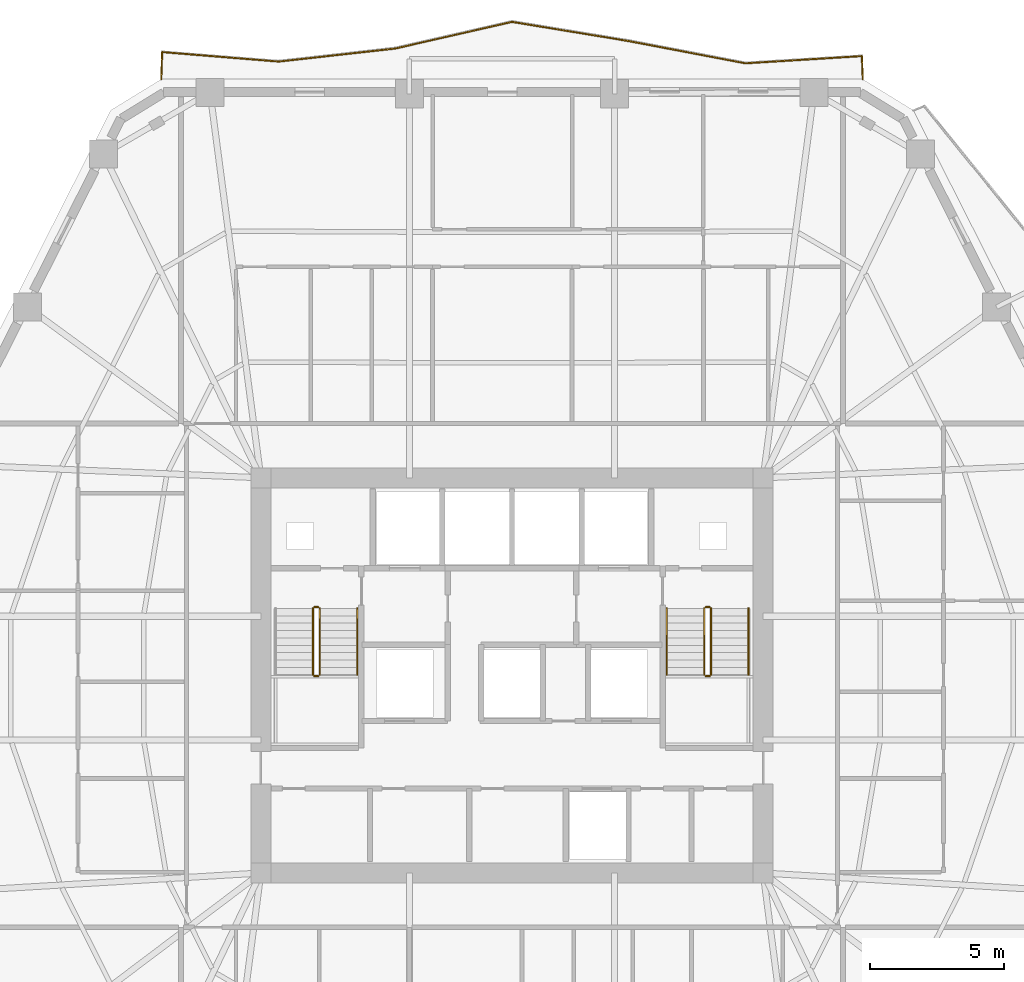
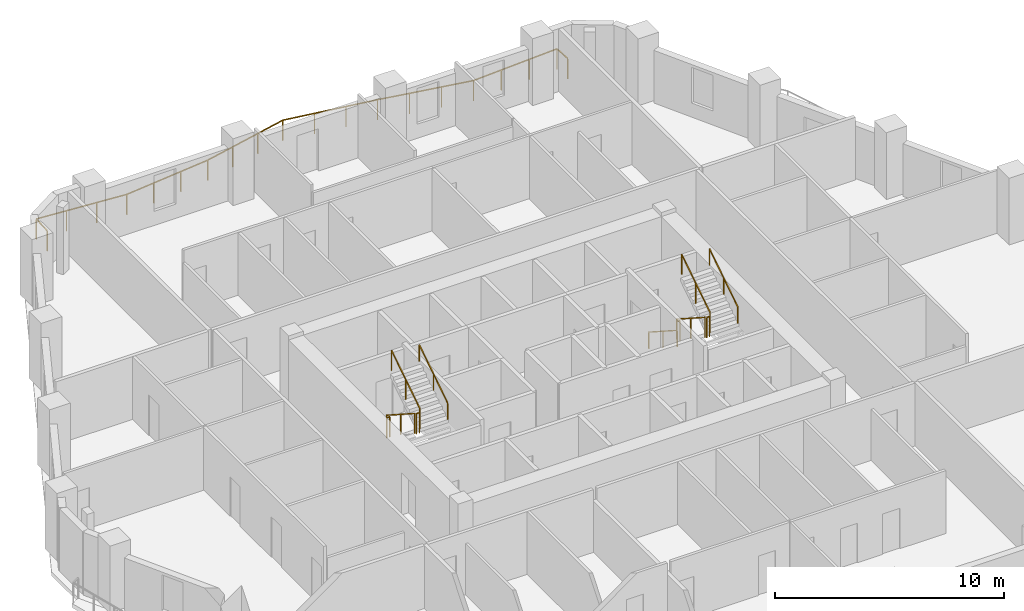
# One storey, part 10 of 11: 12 railings.
"""IFC4 building model written with IfcOpenShell, lengths in metres."""

import ifcopenshell
import ifcopenshell.guid

model = None  # the IFC model being written
_history = None  # IfcOwnerHistory: only IFC2X3 demands one
_inside = {}  # id of a spatial element -> (the spatial element, [elements in it])
_under = {}  # id of a project, library or spatial element -> (it, [spatial elements below it])
_declared = {}  # id of a project -> (the project, [libraries it declares])
_typed = {}  # id of a type object -> (the type object, [elements of that type])
_made_of = {}  # id of a material, layer set ... -> (it, [elements and type objects made of it])


def new_model(schema):
    """Start an empty IFC model of exactly this schema.

    Asked for "IFC4X3", IfcOpenShell would pick the latest addendum, in which some entities
    have other attributes; the version numbers below select the first issue.
    IFC2X3 requires an IfcOwnerHistory on every rooted entity: one is made here for all.
    """
    global model, _history
    if schema == "IFC4X3":
        model = ifcopenshell.file(schema_version=(4, 3, 0, 0))
    else:
        model = ifcopenshell.file(schema=schema)
    _inside.clear()
    _under.clear()
    _declared.clear()
    _typed.clear()
    _made_of.clear()
    _history = None
    if model.schema == "IFC2X3":
        org = make("IfcOrganization", Name="unknown")
        user = make(
            "IfcPersonAndOrganization",
            ThePerson=make("IfcPerson", FamilyName="unknown"),
            TheOrganization=org,
        )
        app = make(
            "IfcApplication",
            ApplicationDeveloper=org,
            Version="unknown",
            ApplicationFullName="unknown",
            ApplicationIdentifier="unknown",
        )
        _history = make(
            "IfcOwnerHistory",
            OwningUser=user,
            OwningApplication=app,
            ChangeAction="ADDED",
            CreationDate=0,
        )
    return model


def make(cls, **values):
    """One entity of the class cls with the attributes given. An attribute that is None is left unset."""
    return model.create_entity(
        cls, **{name: value for name, value in values.items() if value is not None}
    )


def rooted(cls, **values):
    """An entity with a GlobalId (a new one), such as an element, a storey or a relation."""
    return make(cls, GlobalId=ifcopenshell.guid.new(), OwnerHistory=_history, **values)


def si_unit(unit_type, name, prefix=None):
    """IfcSIUnit, for example si_unit("LENGTHUNIT", "METRE", prefix="MILLI")."""
    return make("IfcSIUnit", UnitType=unit_type, Prefix=prefix, Name=name)


def assignment(units):
    """IfcUnitAssignment: the units of a project."""
    return None if units is None else make("IfcUnitAssignment", Units=units)


def point(xyz):
    """IfcCartesianPoint."""
    return None if xyz is None else make("IfcCartesianPoint", Coordinates=xyz)


def direction(xyz):
    """IfcDirection."""
    return None if xyz is None else make("IfcDirection", DirectionRatios=xyz)


def frame(location, z_axis=None, x_axis=None):
    """IfcAxis2Placement3D, a coordinate frame: its origin and axes. An axis left out is left unset."""
    return make(
        "IfcAxis2Placement3D",
        Location=point(location),
        Axis=direction(z_axis),
        RefDirection=direction(x_axis),
    )


def frame_2d(location, x_axis=None):
    """IfcAxis2Placement2D, a coordinate frame in the plane: its origin and x axis."""
    return make(
        "IfcAxis2Placement2D", Location=point(location), RefDirection=direction(x_axis)
    )


def origin():
    """The frame at (0, 0, 0) with its axes left unset."""
    return frame((0.0, 0.0, 0.0))


def origin_2d():
    """The frame at (0, 0) in the plane with its x axis left unset."""
    return frame_2d((0.0, 0.0))


def place(relative_to, where):
    """IfcLocalPlacement: puts the frame where relative to a parent placement (None: the world)."""
    return make(
        "IfcLocalPlacement", PlacementRelTo=relative_to, RelativePlacement=where
    )


def context(
    kind, dimensions, precision=None, world=None, true_north=None, identifier=None
):
    """IfcGeometricRepresentationContext, for example the 3D "Model" context."""
    return make(
        "IfcGeometricRepresentationContext",
        ContextIdentifier=identifier,
        ContextType=kind,
        CoordinateSpaceDimension=dimensions,
        Precision=precision,
        WorldCoordinateSystem=world,
        TrueNorth=true_north,
    )


def subcontext(parent, identifier, kind, view, scale=None):
    """IfcGeometricRepresentationSubContext, for example "Body" below "Model"."""
    return make(
        "IfcGeometricRepresentationSubContext",
        ContextIdentifier=identifier,
        ContextType=kind,
        ParentContext=parent,
        TargetScale=scale,
        TargetView=view,
    )


def project(units=None, contexts=None):
    """IfcProject with its units and contexts."""
    return rooted(
        "IfcProject",
        Name="project",
        RepresentationContexts=contexts,
        UnitsInContext=assignment(units),
    )


def spatial(cls, under=None, at=None, **own):
    """A site, building, storey or space (cls), placed at a placement, below another one or the project."""
    s = rooted(cls, ObjectPlacement=at, **own)
    if under is not None:
        _under.setdefault(under.id(), (under, []))[1].append(s)
    return s


def profile(cls, at=None, kind="AREA", **sizes):
    """A parametric profile (cls). Its sizes go by their IFC names, for example OverallWidth=200.0."""
    return make(cls, ProfileType=kind, Position=at, **sizes)


def rectangle(**sizes):
    """IfcRectangleProfileDef."""
    return profile("IfcRectangleProfileDef", **sizes)


def extrude(swept, where, along, depth):
    """IfcExtrudedAreaSolid: the profile swept, set in the frame where, extruded along a direction by depth."""
    return make(
        "IfcExtrudedAreaSolid",
        SweptArea=swept,
        Position=where,
        ExtrudedDirection=direction(along),
        Depth=depth,
    )


def shape(context_of_items, identifier, shape_type, items):
    """IfcShapeRepresentation: the items that make up one representation, for example the "Body"."""
    return make(
        "IfcShapeRepresentation",
        ContextOfItems=context_of_items,
        RepresentationIdentifier=identifier,
        RepresentationType=shape_type,
        Items=items,
    )


def material(Name=None, Category=None):
    """IfcMaterial."""
    return make("IfcMaterial", Name=Name, Category=Category)


def made_of(thing, what):
    """Note that an element or type object is made of a material, layer set ...; save() writes the relation."""
    if what is not None:
        _made_of.setdefault(what.id(), (what, []))[1].append(thing)
    return thing


def type_object(cls, material=None, **own):
    """A type object (cls), such as IfcWallType, which elements share."""
    return made_of(rooted(cls, **own), material)


def element(
    cls,
    number,
    at=None,
    inside=None,
    cuts=None,
    type_object=None,
    material=None,
    context=None,
    identifier="Body",
    shape_type=None,
    held_by="IfcProductDefinitionShape",
    body=None,
    shapes=None,
    **own,
):
    """One element of the class cls, such as IfcWall. Its Tag is "e" and its number.

    at: its placement. inside: the storey or other place that contains it. cuts: it is an
    opening in that element (IfcRelVoidsElement). A single representation is given by context,
    identifier, shape_type and body (its items); several are given by shapes. held_by: the class
    of the entity that holds the representations. save() writes the other relations.
    """
    e = rooted(cls, Tag="e%d" % number, ObjectPlacement=at, **own)
    if body is not None:
        shapes = [shape(context, identifier, shape_type, body)]
    if shapes is not None:
        e.Representation = make(held_by, Representations=shapes)
    if inside is not None:
        _inside.setdefault(inside.id(), (inside, []))[1].append(e)
    if cuts is not None:
        rooted(
            "IfcRelVoidsElement", RelatingBuildingElement=cuts, RelatedOpeningElement=e
        )
    if type_object is not None:
        _typed.setdefault(type_object.id(), (type_object, []))[1].append(e)
    return made_of(e, material)


def aggregate(whole, parts):
    """IfcRelAggregates: a whole, such as a stair, and the parts it consists of."""
    return rooted("IfcRelAggregates", RelatingObject=whole, RelatedObjects=parts)


def save(model, path):
    """Write the relations noted so far, then the file.

    IfcRelAggregates (storeys below a building ...), IfcRelContainedInSpatialStructure (elements
    in a storey), IfcRelDefinesByType, IfcRelAssociatesMaterial and IfcRelDeclares: one each for
    every whole, place, type object, material and project.
    """
    for whole, parts in _under.values():
        aggregate(whole, parts)
    for where, things in _inside.values():
        rooted(
            "IfcRelContainedInSpatialStructure",
            RelatedElements=things,
            RelatingStructure=where,
        )
    for kind, things in _typed.values():
        rooted("IfcRelDefinesByType", RelatedObjects=things, RelatingType=kind)
    for what, things in _made_of.values():
        rooted("IfcRelAssociatesMaterial", RelatedObjects=things, RelatingMaterial=what)
    for by, libraries in _declared.values():
        rooted("IfcRelDeclares", RelatingContext=by, RelatedDefinitions=libraries)
    model.write(path)


model = new_model("IFC4")

# Units and contexts
model_context = context("Model", 3, precision=1e-05, world=origin(), true_north=direction((0.0, 1.0)))
body_context = subcontext(model_context, "Body", "Model", "MODEL_VIEW")
ifc_project = project(units=[si_unit("LENGTHUNIT", "METRE"), si_unit("AREAUNIT", "SQUARE_METRE"), si_unit("VOLUMEUNIT", "CUBIC_METRE"), si_unit("PLANEANGLEUNIT", "RADIAN"), si_unit("MASSUNIT", "GRAM", prefix="KILO")], contexts=[model_context])

# Site, building, storey
site_placement = place(None, origin())
site = spatial("IfcSite", under=ifc_project, at=site_placement, CompositionType="ELEMENT")
building_placement = place(site_placement, origin())
building = spatial("IfcBuilding", under=site, at=building_placement, Name="Cinnabar Lancet Tower", CompositionType="ELEMENT")
storey_placement = place(building_placement, frame((0.0, 0.0, 130.35009765625)))
storey = spatial("IfcBuildingStorey", under=building, at=storey_placement, Name="L34", CompositionType="ELEMENT", Elevation=130.35009765625)

# Railings
ifc_material_1 = material(Name="Laminated safety glass and bronze stainless steel balustrade", Category="steel")
railing_type_1 = type_object("IfcRailingType", Name="ENV-RLG-BAL-1100", PredefinedType="BALUSTRADE", material=ifc_material_1)
railing_1_placement = place(storey_placement, frame((45.491943359375, 48.14990234375, 0.0)))
element("IfcRailing", 1, at=railing_1_placement, inside=storey, type_object=railing_type_1, Name="L34 Face 4 Wave Balcony Balustrade", PredefinedType="BALUSTRADE", context=body_context, shape_type="SweptSolid", body=[
    extrude(rectangle(XDim=0.048095703125, YDim=0.048095703125, at=origin_2d()), frame((0.0, 0.0, 1.076171875), z_axis=(-0.0392463717, 0.999229564369, 0.0), x_axis=(-0.999229564369, -0.0392463717, 0.0)), (0.0, 0.0, 1.0), 0.86474609375),
    extrude(rectangle(XDim=0.048095703125, YDim=0.048095703125, at=origin_2d()), frame((-0.033935546875, 0.864013671875, 1.076171875), z_axis=(-0.99810061235, -0.061604931842, 0.0), x_axis=(0.061604931842, -0.99810061235, 0.0)), (0.0, 0.0, 1.0), 4.36328125),
    extrude(rectangle(XDim=0.048095703125, YDim=0.048095703125, at=origin_2d()), frame((-4.388916015625, 0.59521484375, 1.076171875), z_axis=(-0.982261798243, 0.18751469199, 0.0), x_axis=(-0.18751469199, -0.982261798243, 0.0)), (0.0, 0.0, 1.0), 4.4306640625),
    extrude(rectangle(XDim=0.048095703125, YDim=0.048095703125, at=origin_2d()), frame((-8.740966796875, 1.426025390625, 1.076171875), z_axis=(-0.986762523583, 0.162171890449, 0.0), x_axis=(-0.162171890449, -0.986762523583, 0.0)), (0.0, 0.0, 1.0), 4.409423828125),
    extrude(rectangle(XDim=0.048095703125, YDim=0.048095703125, at=origin_2d()), frame((-13.092041015625, 2.14111328125, 1.076171875), z_axis=(-0.974934165854, -0.222493533053, 0.0), x_axis=(0.222493533053, -0.974934165854, 0.0)), (0.0, 0.0, 1.0), 4.462646484375),
    extrude(rectangle(XDim=0.048095703125, YDim=0.048095703125, at=origin_2d()), frame((-17.44287109375, 1.148193359375, 1.076171875), z_axis=(-0.993771045235, -0.111441059095, 0.0), x_axis=(0.111441059095, -0.993771045235, 0.0)), (0.0, 0.0, 1.0), 4.37939453125),
    extrude(rectangle(XDim=0.048095703125, YDim=0.048095703125, at=origin_2d()), frame((-21.794921875, 0.66015625, 1.076171875), z_axis=(-0.996712483453, 0.081019906997, 0.0), x_axis=(-0.081019906997, -0.996712483453, 0.0)), (0.0, 0.0, 1.0), 4.369384765625),
    extrude(rectangle(XDim=0.048095703125, YDim=0.048095703125, at=origin_2d()), frame((-26.14990234375, 1.01416015625, 1.076171875), z_axis=(-0.033443006029, -0.999440626224, 0.0), x_axis=(0.999440626224, -0.033443006029, 0.0)), (0.0, 0.0, 1.0), 1.0146484375),
    extrude(rectangle(XDim=0.0419921875, YDim=0.0419921875, at=origin_2d()), origin(), (0.0, 0.0, 1.0), 1.052001953125),
    extrude(rectangle(XDim=0.0419921875, YDim=0.0419921875, at=origin_2d()), frame((-0.033935546875, 0.864013671875, 0.0)), (0.0, 0.0, 1.0), 1.052001953125),
    extrude(rectangle(XDim=0.0419921875, YDim=0.0419921875, at=origin_2d()), frame((-1.485595703125, 0.7744140625, 0.0)), (0.0, 0.0, 1.0), 1.052001953125),
    extrude(rectangle(XDim=0.0419921875, YDim=0.0419921875, at=origin_2d()), frame((-2.937255859375, 0.684814453125, 0.0)), (0.0, 0.0, 1.0), 1.052001953125),
    extrude(rectangle(XDim=0.0419921875, YDim=0.0419921875, at=origin_2d()), frame((-4.388916015625, 0.59521484375, 0.0)), (0.0, 0.0, 1.0), 1.052001953125),
    extrude(rectangle(XDim=0.0419921875, YDim=0.0419921875, at=origin_2d()), frame((-5.839599609375, 0.8720703125, 0.0)), (0.0, 0.0, 1.0), 1.052001953125),
    extrude(rectangle(XDim=0.0419921875, YDim=0.0419921875, at=origin_2d()), frame((-7.290283203125, 1.149169921875, 0.0)), (0.0, 0.0, 1.0), 1.052001953125),
    extrude(rectangle(XDim=0.0419921875, YDim=0.0419921875, at=origin_2d()), frame((-8.740966796875, 1.426025390625, 0.0)), (0.0, 0.0, 1.0), 1.052001953125),
    extrude(rectangle(XDim=0.0419921875, YDim=0.0419921875, at=origin_2d()), frame((-10.19140625, 1.664306640625, 0.0)), (0.0, 0.0, 1.0), 1.052001953125),
    extrude(rectangle(XDim=0.0419921875, YDim=0.0419921875, at=origin_2d()), frame((-11.6416015625, 1.90283203125, 0.0)), (0.0, 0.0, 1.0), 1.052001953125),
    extrude(rectangle(XDim=0.0419921875, YDim=0.0419921875, at=origin_2d()), frame((-13.092041015625, 2.14111328125, 0.0)), (0.0, 0.0, 1.0), 1.052001953125),
    extrude(rectangle(XDim=0.0419921875, YDim=0.0419921875, at=origin_2d()), frame((-14.542236328125, 1.81005859375, 0.0)), (0.0, 0.0, 1.0), 1.052001953125),
    extrude(rectangle(XDim=0.0419921875, YDim=0.0419921875, at=origin_2d()), frame((-15.99267578125, 1.479248046875, 0.0)), (0.0, 0.0, 1.0), 1.052001953125),
    extrude(rectangle(XDim=0.0419921875, YDim=0.0419921875, at=origin_2d()), frame((-17.44287109375, 1.148193359375, 0.0)), (0.0, 0.0, 1.0), 1.052001953125),
    extrude(rectangle(XDim=0.0419921875, YDim=0.0419921875, at=origin_2d()), frame((-18.8935546875, 0.985595703125, 0.0)), (0.0, 0.0, 1.0), 1.052001953125),
    extrude(rectangle(XDim=0.0419921875, YDim=0.0419921875, at=origin_2d()), frame((-20.34423828125, 0.82275390625, 0.0)), (0.0, 0.0, 1.0), 1.052001953125),
    extrude(rectangle(XDim=0.0419921875, YDim=0.0419921875, at=origin_2d()), frame((-21.794921875, 0.66015625, 0.0)), (0.0, 0.0, 1.0), 1.052001953125),
    extrude(rectangle(XDim=0.0419921875, YDim=0.0419921875, at=origin_2d()), frame((-23.24658203125, 0.778076171875, 0.0)), (0.0, 0.0, 1.0), 1.052001953125),
    extrude(rectangle(XDim=0.0419921875, YDim=0.0419921875, at=origin_2d()), frame((-24.6982421875, 0.896240234375, 0.0)), (0.0, 0.0, 1.0), 1.052001953125),
    extrude(rectangle(XDim=0.0419921875, YDim=0.0419921875, at=origin_2d()), frame((-26.14990234375, 1.01416015625, 0.0)), (0.0, 0.0, 1.0), 1.052001953125),
    extrude(rectangle(XDim=0.0419921875, YDim=0.0419921875, at=origin_2d()), frame((-26.183837890625, 0.0, 0.0)), (0.0, 0.0, 1.0), 1.052001953125),
])
ifc_material_2 = material(Name="Painted galvanized steel balustrade", Category="steel")
railing_type_2 = type_object("IfcRailingType", Name="GUARD-STAIR", PredefinedType="GUARDRAIL", material=ifc_material_2)
railing_2_placement = place(storey_placement, frame((24.97509765625, 28.39990234375, 0.177490234375)))
element("IfcRailing", 2, at=railing_2_placement, inside=storey, type_object=railing_type_2, Name="L34 ST-1 stair guard 1", PredefinedType="GUARDRAIL", context=body_context, shape_type="SweptSolid", body=[
    extrude(rectangle(XDim=0.048095703125, YDim=0.048095703125, at=origin_2d()), frame((0.0, 0.0, 1.076171875), z_axis=(0.0, -0.840183358697, 0.542302428327), x_axis=(1.0, 0.0, 0.0)), (0.0, 0.0, 1.0), 2.945556640625),
    extrude(rectangle(XDim=0.0419921875, YDim=0.0419921875, at=origin_2d()), origin(), (0.0, 0.0, 1.0), 1.052001953125),
    extrude(rectangle(XDim=0.0419921875, YDim=0.0419921875, at=origin_2d()), frame((0.0, -1.2373046875, 0.798828125)), (0.0, 0.0, 1.0), 1.052001953125),
    extrude(rectangle(XDim=0.0419921875, YDim=0.0419921875, at=origin_2d()), frame((0.0, -2.474853515625, 1.597412109375)), (0.0, 0.0, 1.0), 1.052001953125),
])
railing_3_placement = place(storey_placement, frame((25.02490234375, 25.875, 1.77490234375)))
element("IfcRailing", 3, at=railing_3_placement, inside=storey, type_object=railing_type_2, Name="L34 ST-1 stair guard 2", PredefinedType="GUARDRAIL", context=body_context, shape_type="SweptSolid", body=[
    extrude(rectangle(XDim=0.048095703125, YDim=0.048095703125, at=origin_2d()), frame((0.0, 0.0, 1.076171875), z_axis=(1.0, 0.0, 0.0), x_axis=(0.0, 1.0, 0.0)), (0.0, 0.0, 1.0), 0.150146484375),
    extrude(rectangle(XDim=0.0419921875, YDim=0.0419921875, at=origin_2d()), origin(), (0.0, 0.0, 1.0), 1.052001953125),
    extrude(rectangle(XDim=0.0419921875, YDim=0.0419921875, at=origin_2d()), frame((0.150146484375, 0.0, 0.0)), (0.0, 0.0, 1.0), 1.052001953125),
])
railing_4_placement = place(storey_placement, frame((25.22509765625, 25.925048828125, 1.952392578125)))
element("IfcRailing", 4, at=railing_4_placement, inside=storey, type_object=railing_type_2, Name="L34 ST-1 stair guard 3", PredefinedType="GUARDRAIL", context=body_context, shape_type="SweptSolid", body=[
    extrude(rectangle(XDim=0.048095703125, YDim=0.048095703125, at=origin_2d()), frame((0.0, 0.0, 1.076171875), z_axis=(0.0, 0.840183358697, 0.542302428327), x_axis=(-1.0, 0.0, 0.0)), (0.0, 0.0, 1.0), 2.945556640625),
    extrude(rectangle(XDim=0.0419921875, YDim=0.0419921875, at=origin_2d()), origin(), (0.0, 0.0, 1.0), 1.052001953125),
    extrude(rectangle(XDim=0.0419921875, YDim=0.0419921875, at=origin_2d()), frame((0.0, 1.2373046875, 0.798828125)), (0.0, 0.0, 1.0), 1.052001953125),
    extrude(rectangle(XDim=0.0419921875, YDim=0.0419921875, at=origin_2d()), frame((0.0, 2.474853515625, 1.597412109375)), (0.0, 0.0, 1.0), 1.052001953125),
])
railing_5_placement = place(storey_placement, frame((25.02490234375, 28.449951171875, 0.0)))
element("IfcRailing", 5, at=railing_5_placement, inside=storey, type_object=railing_type_2, Name="L34 ST-1 stair guard 4", PredefinedType="GUARDRAIL", context=body_context, shape_type="SweptSolid", body=[
    extrude(rectangle(XDim=0.048095703125, YDim=0.048095703125, at=origin_2d()), frame((0.0, 0.0, 1.076171875), z_axis=(1.0, 0.0, 0.0), x_axis=(0.0, 1.0, 0.0)), (0.0, 0.0, 1.0), 0.150146484375),
    extrude(rectangle(XDim=0.0419921875, YDim=0.0419921875, at=origin_2d()), origin(), (0.0, 0.0, 1.0), 1.052001953125),
    extrude(rectangle(XDim=0.0419921875, YDim=0.0419921875, at=origin_2d()), frame((0.150146484375, 0.0, 0.0)), (0.0, 0.0, 1.0), 1.052001953125),
])
railing_6_placement = place(storey_placement, frame((39.574951171875, 28.39990234375, 0.177490234375)))
element("IfcRailing", 6, at=railing_6_placement, inside=storey, type_object=railing_type_2, Name="L34 ST-2 stair guard 1", PredefinedType="GUARDRAIL", context=body_context, shape_type="SweptSolid", body=[
    extrude(rectangle(XDim=0.048095703125, YDim=0.048095703125, at=origin_2d()), frame((0.0, 0.0, 1.076171875), z_axis=(0.0, -0.840183358697, 0.542302428327), x_axis=(1.0, 0.0, 0.0)), (0.0, 0.0, 1.0), 2.945556640625),
    extrude(rectangle(XDim=0.0419921875, YDim=0.0419921875, at=origin_2d()), origin(), (0.0, 0.0, 1.0), 1.052001953125),
    extrude(rectangle(XDim=0.0419921875, YDim=0.0419921875, at=origin_2d()), frame((0.0, -1.2373046875, 0.798828125)), (0.0, 0.0, 1.0), 1.052001953125),
    extrude(rectangle(XDim=0.0419921875, YDim=0.0419921875, at=origin_2d()), frame((0.0, -2.474853515625, 1.597412109375)), (0.0, 0.0, 1.0), 1.052001953125),
])
railing_7_placement = place(storey_placement, frame((39.625, 25.875, 1.77490234375)))
element("IfcRailing", 7, at=railing_7_placement, inside=storey, type_object=railing_type_2, Name="L34 ST-2 stair guard 2", PredefinedType="GUARDRAIL", context=body_context, shape_type="SweptSolid", body=[
    extrude(rectangle(XDim=0.048095703125, YDim=0.048095703125, at=origin_2d()), frame((0.0, 0.0, 1.076171875), z_axis=(1.0, 0.0, 0.0), x_axis=(0.0, 1.0, 0.0)), (0.0, 0.0, 1.0), 0.14990234375),
    extrude(rectangle(XDim=0.0419921875, YDim=0.0419921875, at=origin_2d()), origin(), (0.0, 0.0, 1.0), 1.052001953125),
    extrude(rectangle(XDim=0.0419921875, YDim=0.0419921875, at=origin_2d()), frame((0.14990234375, 0.0, 0.0)), (0.0, 0.0, 1.0), 1.052001953125),
])
railing_8_placement = place(storey_placement, frame((39.824951171875, 25.925048828125, 1.952392578125)))
element("IfcRailing", 8, at=railing_8_placement, inside=storey, type_object=railing_type_2, Name="L34 ST-2 stair guard 3", PredefinedType="GUARDRAIL", context=body_context, shape_type="SweptSolid", body=[
    extrude(rectangle(XDim=0.048095703125, YDim=0.048095703125, at=origin_2d()), frame((0.0, 0.0, 1.076171875), z_axis=(0.0, 0.840183358697, 0.542302428327), x_axis=(-1.0, 0.0, 0.0)), (0.0, 0.0, 1.0), 2.945556640625),
    extrude(rectangle(XDim=0.0419921875, YDim=0.0419921875, at=origin_2d()), origin(), (0.0, 0.0, 1.0), 1.052001953125),
    extrude(rectangle(XDim=0.0419921875, YDim=0.0419921875, at=origin_2d()), frame((0.0, 1.2373046875, 0.798828125)), (0.0, 0.0, 1.0), 1.052001953125),
    extrude(rectangle(XDim=0.0419921875, YDim=0.0419921875, at=origin_2d()), frame((0.0, 2.474853515625, 1.597412109375)), (0.0, 0.0, 1.0), 1.052001953125),
])
railing_9_placement = place(storey_placement, frame((39.625, 28.449951171875, 0.0)))
element("IfcRailing", 9, at=railing_9_placement, inside=storey, type_object=railing_type_2, Name="L34 ST-2 stair guard 4", PredefinedType="GUARDRAIL", context=body_context, shape_type="SweptSolid", body=[
    extrude(rectangle(XDim=0.048095703125, YDim=0.048095703125, at=origin_2d()), frame((0.0, 0.0, 1.076171875), z_axis=(1.0, 0.0, 0.0), x_axis=(0.0, 1.0, 0.0)), (0.0, 0.0, 1.0), 0.14990234375),
    extrude(rectangle(XDim=0.0419921875, YDim=0.0419921875, at=origin_2d()), origin(), (0.0, 0.0, 1.0), 1.052001953125),
    extrude(rectangle(XDim=0.0419921875, YDim=0.0419921875, at=origin_2d()), frame((0.14990234375, 0.0, 0.0)), (0.0, 0.0, 1.0), 1.052001953125),
])
ifc_material_3 = material(Name="Brushed stainless steel handrail", Category="steel")
railing_type_3 = type_object("IfcRailingType", Name="HANDRAIL-STAIR", PredefinedType="HANDRAIL", material=ifc_material_3)
railing_10_placement = place(storey_placement, frame((26.625, 25.925048828125, 1.952392578125)))
element("IfcRailing", 10, at=railing_10_placement, inside=storey, type_object=railing_type_3, Name="L34 ST-1 stair handrail 2", PredefinedType="HANDRAIL", context=body_context, shape_type="SweptSolid", body=[
    extrude(rectangle(XDim=0.048095703125, YDim=0.048095703125, at=origin_2d()), frame((0.0, 0.0, 0.8759765625), z_axis=(0.0, 0.840183358697, 0.542302428327), x_axis=(-1.0, 0.0, 0.0)), (0.0, 0.0, 1.0), 2.945556640625),
    extrude(rectangle(XDim=0.0419921875, YDim=0.0419921875, at=origin_2d()), origin(), (0.0, 0.0, 1.0), 0.851806640625),
    extrude(rectangle(XDim=0.0419921875, YDim=0.0419921875, at=origin_2d()), frame((0.0, 1.2373046875, 0.798828125)), (0.0, 0.0, 1.0), 0.851806640625),
    extrude(rectangle(XDim=0.0419921875, YDim=0.0419921875, at=origin_2d()), frame((0.0, 2.474853515625, 1.597412109375)), (0.0, 0.0, 1.0), 0.851806640625),
])
railing_11_placement = place(storey_placement, frame((38.175048828125, 28.39990234375, 0.177490234375)))
element("IfcRailing", 11, at=railing_11_placement, inside=storey, type_object=railing_type_3, Name="L34 ST-2 stair handrail 1", PredefinedType="HANDRAIL", context=body_context, shape_type="SweptSolid", body=[
    extrude(rectangle(XDim=0.048095703125, YDim=0.048095703125, at=origin_2d()), frame((0.0, 0.0, 0.8759765625), z_axis=(0.0, -0.840183358697, 0.542302428327), x_axis=(1.0, 0.0, 0.0)), (0.0, 0.0, 1.0), 2.945556640625),
    extrude(rectangle(XDim=0.0419921875, YDim=0.0419921875, at=origin_2d()), origin(), (0.0, 0.0, 1.0), 0.851806640625),
    extrude(rectangle(XDim=0.0419921875, YDim=0.0419921875, at=origin_2d()), frame((0.0, -1.2373046875, 0.798828125)), (0.0, 0.0, 1.0), 0.851806640625),
    extrude(rectangle(XDim=0.0419921875, YDim=0.0419921875, at=origin_2d()), frame((0.0, -2.474853515625, 1.597412109375)), (0.0, 0.0, 1.0), 0.851806640625),
])
railing_12_placement = place(storey_placement, frame((41.22509765625, 25.925048828125, 1.952392578125)))
element("IfcRailing", 12, at=railing_12_placement, inside=storey, type_object=railing_type_3, Name="L34 ST-2 stair handrail 2", PredefinedType="HANDRAIL", context=body_context, shape_type="SweptSolid", body=[
    extrude(rectangle(XDim=0.048095703125, YDim=0.048095703125, at=origin_2d()), frame((0.0, 0.0, 0.8759765625), z_axis=(0.0, 0.840183358697, 0.542302428327), x_axis=(-1.0, 0.0, 0.0)), (0.0, 0.0, 1.0), 2.945556640625),
    extrude(rectangle(XDim=0.0419921875, YDim=0.0419921875, at=origin_2d()), origin(), (0.0, 0.0, 1.0), 0.851806640625),
    extrude(rectangle(XDim=0.0419921875, YDim=0.0419921875, at=origin_2d()), frame((0.0, 1.2373046875, 0.798828125)), (0.0, 0.0, 1.0), 0.851806640625),
    extrude(rectangle(XDim=0.0419921875, YDim=0.0419921875, at=origin_2d()), frame((0.0, 2.474853515625, 1.597412109375)), (0.0, 0.0, 1.0), 0.851806640625),
])

save(model, "model.ifc")
